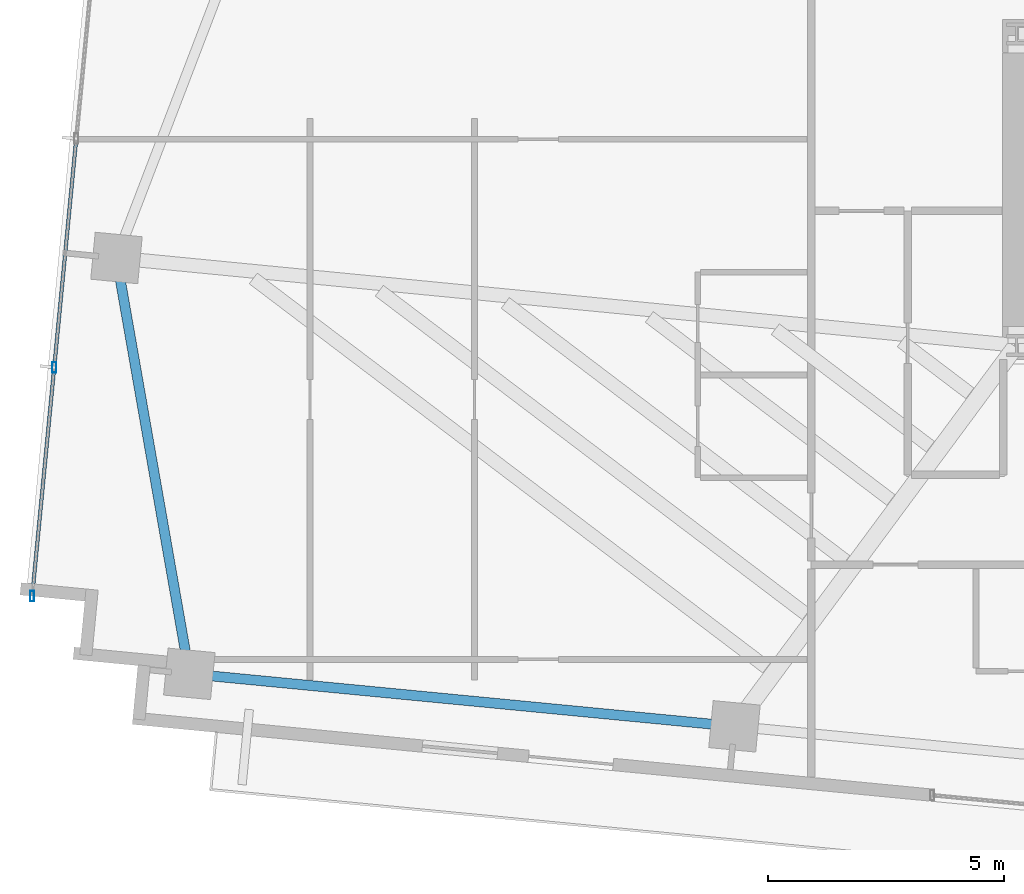
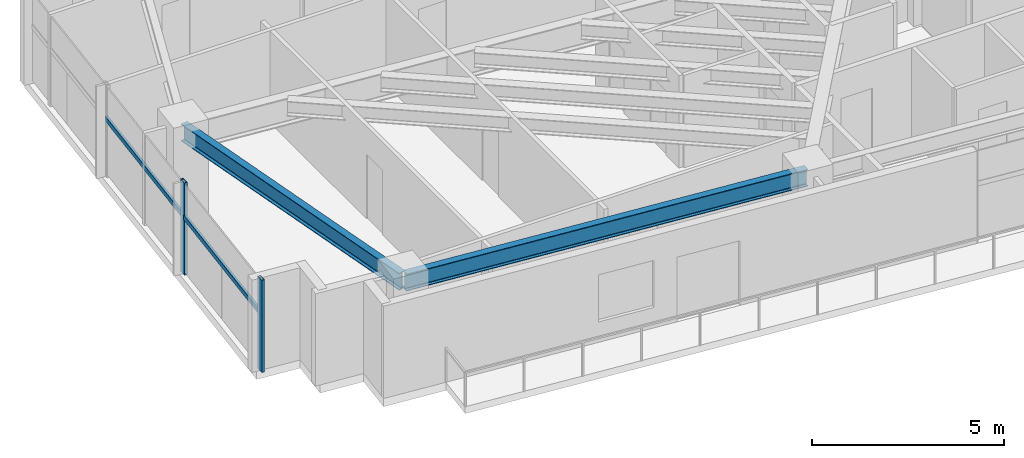
# One storey, part 2 of 19: 4 members, 2 beams, 1 element without a shape of its own.
"""IFC4 building model written with IfcOpenShell, lengths in metres."""

from ifc_helpers import new_model, si_unit, direction, frame, origin, origin_2d, place, context, subcontext, project, spatial, hollow_rectangle, i_section, extrude, source, transform, mapped, material, material_profile, profile_set, type_object, type_shapes, element, aggregate, save


model = new_model("IFC4")

# Units and contexts
model_context = context("Model", 3, precision=1e-05, world=origin(), true_north=direction((0.0, 1.0)))
body_context = subcontext(model_context, "Body", "Model", "MODEL_VIEW")
ifc_project = project(units=[si_unit("LENGTHUNIT", "METRE"), si_unit("AREAUNIT", "SQUARE_METRE"), si_unit("VOLUMEUNIT", "CUBIC_METRE"), si_unit("PLANEANGLEUNIT", "RADIAN"), si_unit("MASSUNIT", "GRAM", prefix="KILO")], contexts=[model_context])

# Site, building, storey
site_placement = place(None, origin())
site = spatial("IfcSite", under=ifc_project, at=site_placement, CompositionType="ELEMENT")
building_placement = place(site_placement, origin())
building = spatial("IfcBuilding", under=site, at=building_placement, Name="Astriad Promenade Condominiums", CompositionType="ELEMENT")
storey_placement = place(building_placement, frame((0.0, 0.0, 147.0)))
storey = spatial("IfcBuildingStorey", under=building, at=storey_placement, Name="L42", CompositionType="ELEMENT", Elevation=147.0)

# Beams
ifc_material_1 = material(Name="Steel ASTM A992 Grade 50", Category="steel")
ifc_material_profile_1 = material_profile(ifc_material_1, i_section(OverallWidth=0.210693359375, OverallDepth=0.53955078125, WebThickness=0.01171875, FlangeThickness=0.018798828125, FilletRadius=0.0166015625, at=origin_2d()), Name="W21X73")
ifc_profile_set_1 = profile_set([ifc_material_profile_1], Name="Steel ASTM A992 Grade 50")
beam_type = type_object("IfcBeamType", Name="STEEL SPANDREL BEAM W21X73", PredefinedType="SPANDREL", material=ifc_profile_set_1)
shared_shape_1 = source(origin(), body_context, "Body", "SweptSolid", [
    extrude(i_section(OverallWidth=0.210693359375, OverallDepth=0.53955078125, WebThickness=0.01171875, FlangeThickness=0.018798828125, FilletRadius=0.0166015625, at=origin_2d()), origin(), (0.0, 0.0, 1.0), 11.52001953125),
])
beam_1_placement = place(storey_placement, frame((8.92041015625, 10.439453125, 2.67041015625), z_axis=(0.9953953902, -0.095854145285, 0.0), x_axis=(0.095854145285, 0.9953953902, 0.0)))
element("IfcBeam", 1, at=beam_1_placement, inside=storey, type_object=beam_type, Name="Perimeter Spandrel Beam SP-S1-L42", PredefinedType="SPANDREL", context=body_context, shape_type="MappedRepresentation", body=[
    mapped(shared_shape_1, transform((0.0, 0.0, 0.0), scale=1.0)),
])
shared_shape_2 = source(origin(), body_context, "Body", "SweptSolid", [
    extrude(i_section(OverallWidth=0.210693359375, OverallDepth=0.53955078125, WebThickness=0.01171875, FlangeThickness=0.018798828125, FilletRadius=0.0166015625, at=origin_2d()), origin(), (0.0, 0.0, 1.0), 8.862548828125),
])
type_shapes(beam_type, [shared_shape_1, shared_shape_2])
beam_2_placement = place(storey_placement, frame((7.3447265625, 19.21240234375, 2.67041015625), z_axis=(0.172528005434, -0.985004612853, 0.0), x_axis=(0.985004612853, 0.172528005434, 0.0)))
element("IfcBeam", 2, at=beam_2_placement, inside=storey, type_object=beam_type, Name="Perimeter Spandrel Beam SP-W1-L42", PredefinedType="SPANDREL", context=body_context, shape_type="MappedRepresentation", body=[
    mapped(shared_shape_2, transform((0.0, 0.0, 0.0), scale=1.0)),
])

# Curtain wall, members
ifc_material_2 = material(Name="Anodised aluminium Black Dark Glass Unitised", Category="aluminium")
curtain_wall_type = type_object("IfcCurtainWallType", Name="CW-B34-DARK", PredefinedType="USERDEFINED", material=ifc_material_2)
curtain_wall_placement = place(storey_placement, origin())
curtain_wall = element("IfcCurtainWall", 3, at=curtain_wall_placement, inside=storey, type_object=curtain_wall_type, Name="CW-L42-W", ObjectType="UNITISED_CURTAIN_WALL", PredefinedType="USERDEFINED")
ifc_material_3 = material(Name="Anodised aluminium 6063-T6 Black", Category="aluminium")
ifc_material_profile_2 = material_profile(ifc_material_3, hollow_rectangle(XDim=0.0849609375, YDim=0.219970703125, WallThickness=0.0048828125, at=origin_2d()), Name="ALU-MUL-85X220")
ifc_profile_set_2 = profile_set([ifc_material_profile_2], Name="Anodised aluminium 6063-T6 Black")
member_type_1 = type_object("IfcMemberType", Name="MUL-ALU-MUL-85X220", PredefinedType="MULLION", material=ifc_profile_set_2)
shared_shape_3 = source(origin(), body_context, "Body", "SweptSolid", [
    extrude(hollow_rectangle(XDim=0.0849609375, YDim=0.219970703125, WallThickness=0.0048828125, at=origin_2d()), origin(), (0.0, 0.0, 1.0), 2.93994140625),
])
type_shapes(member_type_1, [shared_shape_3])
member_1_placement = place(storey_placement, frame((5.552978515625, 12.08984375, 0.0), z_axis=(0.0, 0.0, 1.0), x_axis=(1.0, 0.0, 0.0)))
member_1 = element("IfcMember", 4, at=member_1_placement, type_object=member_type_1, Name="CW-L42-W-MUL-00", PredefinedType="MULLION", context=body_context, shape_type="MappedRepresentation", body=[
    mapped(shared_shape_3, transform((0.0, 0.0, 0.0), scale=1.0)),
])
member_2_placement = place(storey_placement, frame((6.01953125, 16.93408203125, 0.0), z_axis=(0.0, 0.0, 1.0), x_axis=(1.0, 0.0, 0.0)))
member_2 = element("IfcMember", 5, at=member_2_placement, type_object=member_type_1, Name="CW-L42-W-MUL-01", PredefinedType="MULLION", context=body_context, shape_type="MappedRepresentation", body=[
    mapped(shared_shape_3, transform((0.0, 0.0, 0.0), scale=1.0)),
])
ifc_material_profile_3 = material_profile(ifc_material_3, hollow_rectangle(XDim=0.074951171875, YDim=0.14990234375, WallThickness=0.004150390625, at=origin_2d()), Name="ALU-TRN-75X150")
ifc_profile_set_3 = profile_set([ifc_material_profile_3], Name="Anodised aluminium 6063-T6 Black")
member_type_2 = type_object("IfcMemberType", Name="TRN-ALU-TRN-75X150", PredefinedType="USERDEFINED", material=ifc_profile_set_3)
shared_shape_4 = source(origin(), body_context, "Body", "SweptSolid", [
    extrude(hollow_rectangle(XDim=0.074951171875, YDim=0.14990234375, WallThickness=0.004150390625, at=origin_2d()), origin(), (0.0, 0.0, 1.0), 4.86669921875),
])
type_shapes(member_type_2, [shared_shape_4])
member_3_placement = place(storey_placement, frame((5.552978515625, 12.08984375, 1.82275390625), z_axis=(0.095867260207, 0.995394127178, 0.0), x_axis=(-0.995394127178, 0.095867260207, 0.0)))
member_3 = element("IfcMember", 6, at=member_3_placement, type_object=member_type_2, Name="CW-L42-W-TRN-00-0", ObjectType="TRANSOM", PredefinedType="USERDEFINED", context=body_context, shape_type="MappedRepresentation", body=[
    mapped(shared_shape_4, transform((0.0, 0.0, 0.0), scale=1.0)),
])
member_4_placement = place(storey_placement, frame((6.01953125, 16.93408203125, 1.82275390625), z_axis=(0.095867260207, 0.995394127178, 0.0), x_axis=(-0.995394127178, 0.095867260207, 0.0)))
member_4 = element("IfcMember", 7, at=member_4_placement, type_object=member_type_2, Name="CW-L42-W-TRN-01-0", ObjectType="TRANSOM", PredefinedType="USERDEFINED", context=body_context, shape_type="MappedRepresentation", body=[
    mapped(shared_shape_4, transform((0.0, 0.0, 0.0), scale=1.0)),
])
aggregate(curtain_wall, [member_1, member_2, member_3, member_4])

save(model, "model.ifc")
